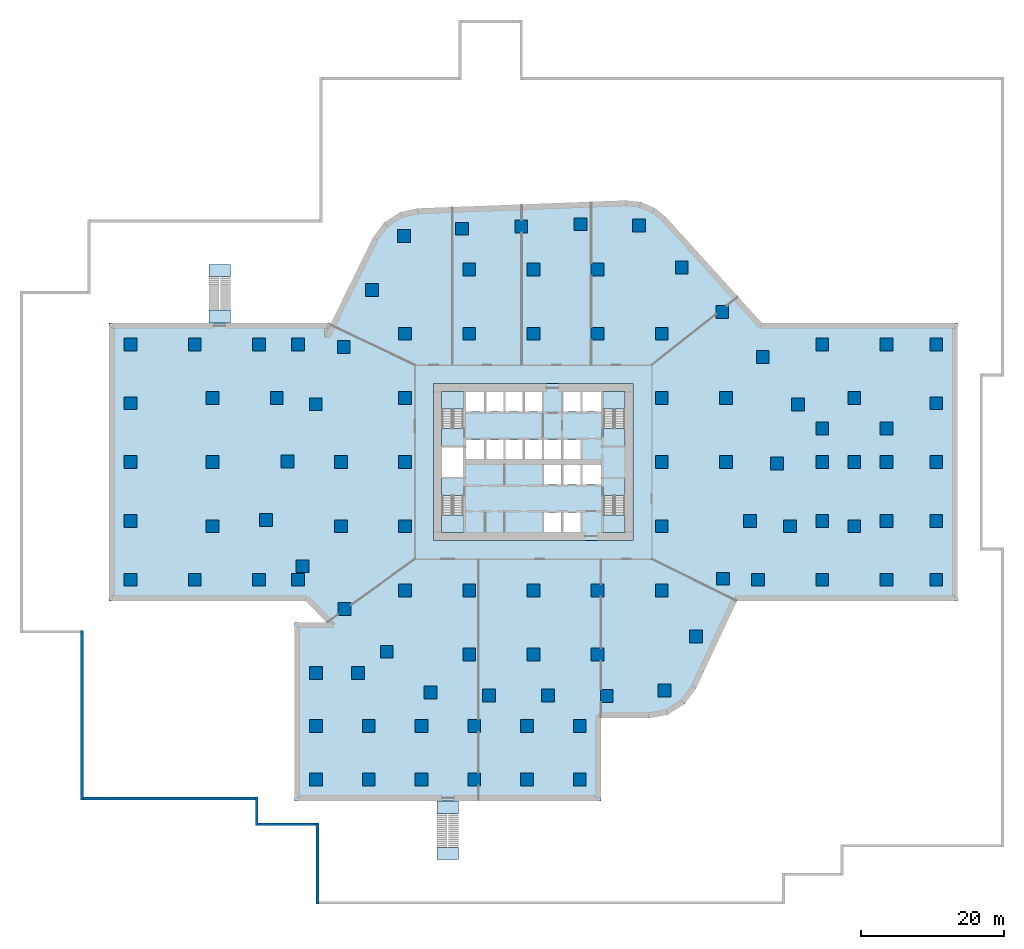
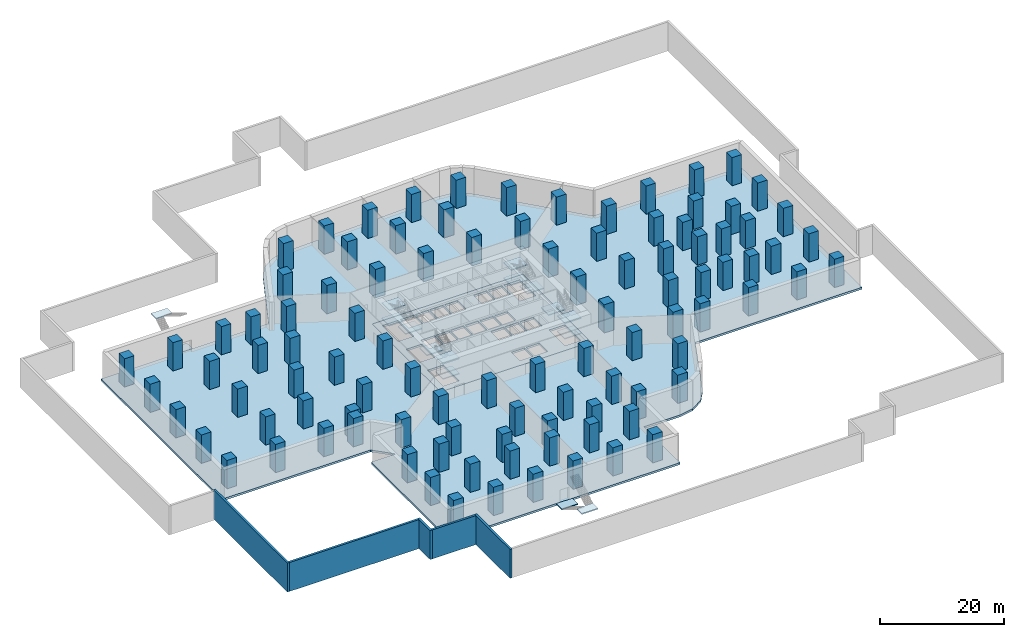
# One storey, part 1 of 11: 101 columns, 18 slabs, 5 walls, 4 elements without a shape of their own.
"""IFC4 building model written with IfcOpenShell, lengths in metres."""

from ifc_helpers import new_model, si_unit, direction, frame, frame_2d, origin, origin_2d, place, context, subcontext, project, spatial, polyline, rectangle, outline, extrude, material, layer, layer_set, material_profile, profile_set, type_object, element, aggregate, save


model = new_model("IFC4")

# Units and contexts
model_context = context("Model", 3, precision=1e-05, world=origin(), true_north=direction((0.0, 1.0)))
body_context = subcontext(model_context, "Body", "Model", "MODEL_VIEW")
ifc_project = project(units=[si_unit("LENGTHUNIT", "METRE"), si_unit("AREAUNIT", "SQUARE_METRE"), si_unit("VOLUMEUNIT", "CUBIC_METRE"), si_unit("PLANEANGLEUNIT", "RADIAN"), si_unit("MASSUNIT", "GRAM", prefix="KILO")], contexts=[model_context])

# Site, building, storey
site_placement = place(None, origin())
site = spatial("IfcSite", under=ifc_project, at=site_placement, CompositionType="ELEMENT")
building_placement = place(site_placement, origin())
building = spatial("IfcBuilding", under=site, at=building_placement, Name="Dongbaek Canopy Tower", CompositionType="ELEMENT")
storey_placement = place(building_placement, frame((0.0, 0.0, -6.0)))
storey = spatial("IfcBuildingStorey", under=building, at=storey_placement, Name="B1", CompositionType="ELEMENT", Elevation=-6.0)

# Columns
ifc_material_1 = material(Name="Concrete C80", Category="concrete")
ifc_material_profile = material_profile(ifc_material_1, rectangle(XDim=1.800048828125, YDim=1.800048828125, at=origin_2d()), Name="RC COLUMN 1800x1800 C80")
ifc_profile_set = profile_set([ifc_material_profile], Name="Concrete C80")
column_type = type_object("IfcColumnType", Name="RC COLUMN 1800x1800 C80", PredefinedType="COLUMN", material=ifc_profile_set)
for number, where, z_axis, x_axis, name in (
    (1, (18.367919921875, -32.04296875, 0.0), (0.0, 0.0, 1.0), (1.0, 0.0, 0.0), "COL:CB-01:B1"),
    (2, (10.277099609375, -32.7900390625, 0.0), (0.0, 0.0, 1.0), (1.0, 0.0, 0.0), "COL:CB-02:B1"),
    (3, (2.027099609375, -32.7529296875, 0.0), (0.0, 0.0, 1.0), (1.0, 0.0, 0.0), "COL:CB-03:B1"),
    (4, (-6.221923828125, -32.717041015625, 0.0), (0.0, 0.0, 1.0), (1.0, 0.0, 0.0), "COL:CB-04:B1"),
    (5, (-14.43408203125, -32.31298828125, 0.0), (0.0, 0.0, 1.0), (1.0, 0.0, 0.0), "COL:CB-05:B1"),
    (6, (-20.573974609375, -26.60205078125, 0.0), (0.0, 0.0, 1.0), (1.0, 0.0, 0.0), "COL:CB-06:B1"),
    (7, (-26.47802734375, -20.60791015625, 0.0), (0.0, 0.0, 1.0), (1.0, 0.0, 0.0), "COL:CB-07:B1"),
    (8, (-32.382080078125, -14.613037109375, 0.0), (0.0, 0.0, 1.0), (1.0, 0.0, 0.0), "COL:CB-08:B1"),
    (9, (-37.489013671875, -8.123046875, 0.0), (0.0, 0.0, 1.0), (1.0, 0.0, 0.0), "COL:CB-09:B1"),
    (10, (-34.462890625, 0.10302734375, 0.0), (0.0, 0.0, 1.0), (1.0, 0.0, 0.0), "COL:CB-10:B1"),
    (11, (-30.52490234375, 8.111083984375, 0.0), (0.0, 0.0, 1.0), (1.0, 0.0, 0.0), "COL:CB-11:B1"),
    (12, (-26.5859375, 16.117919921875, 0.0), (0.0, 0.0, 1.0), (1.0, 0.0, 0.0), "COL:CB-12:B1"),
    (13, (-22.64794921875, 24.125, 0.0), (0.0, 0.0, 1.0), (1.0, 0.0, 0.0), "COL:CB-13:B1"),
    (14, (-18.138916015625, 31.698974609375, 0.0), (0.0, 0.0, 1.0), (1.0, 0.0, 0.0), "COL:CB-14:B1"),
    (15, (-10.006103515625, 32.714111328125, 0.0), (0.0, 0.0, 1.0), (1.0, 0.0, 0.0), "COL:CB-15:B1"),
    (16, (-1.7080078125, 33.031982421875, 0.0), (0.0, 0.0, 1.0), (1.0, 0.0, 0.0), "COL:CB-16:B1"),
    (17, (6.589111328125, 33.34912109375, 0.0), (0.0, 0.0, 1.0), (1.0, 0.0, 0.0), "COL:CB-17:B1"),
    (18, (14.830078125, 33.194091796875, 0.0), (0.0, 0.0, 1.0), (1.0, 0.0, 0.0), "COL:CB-18:B1"),
    (19, (20.804931640625, 27.297119140625, 0.0), (0.0, 0.0, 1.0), (1.0, 0.0, 0.0), "COL:CB-19:B1"),
    (20, (26.48193359375, 21.029052734375, 0.0), (0.0, 0.0, 1.0), (1.0, 0.0, 0.0), "COL:CB-20:B1"),
    (21, (32.157958984375, 14.760986328125, 0.0), (0.0, 0.0, 1.0), (1.0, 0.0, 0.0), "COL:CB-21:B1"),
    (22, (37.097900390625, 8.06591796875, 0.0), (0.0, 0.0, 1.0), (1.0, 0.0, 0.0), "COL:CB-22:B1"),
    (23, (34.14306640625, -0.205078125, 0.0), (0.0, 0.0, 1.0), (1.0, 0.0, 0.0), "COL:CB-23:B1"),
    (24, (30.360107421875, -8.283935546875, 0.0), (0.0, 0.0, 1.0), (1.0, 0.0, 0.0), "COL:CB-24:B1"),
    (25, (26.575927734375, -16.364013671875, 0.0), (0.0, 0.0, 1.0), (1.0, 0.0, 0.0), "COL:CB-25:B1"),
    (26, (22.7919921875, -24.443115234375, 0.0), (0.0, 0.0, 1.0), (1.0, 0.0, 0.0), "COL:CB-26:B1"),
    (27, (-27.0, -9.0, 0.0), (0.0, 0.0, 1.0), (1.0, 0.0, 0.0), "COL:CIB-01:B1"),
    (28, (-27.0, 0.0, 0.0), (0.0, 0.0, 1.0), (1.0, 0.0, 0.0), "COL:CIB-02:B1"),
    (29, (-18.0, -18.0, 0.0), (0.0, 0.0, 1.0), (1.0, 0.0, 0.0), "COL:CIB-03:B1"),
    (30, (-18.0, -9.0, 0.0), (0.0, 0.0, 1.0), (1.0, 0.0, 0.0), "COL:CIB-04:B1"),
    (31, (-18.0, 0.0, 0.0), (0.0, 0.0, 1.0), (1.0, 0.0, 0.0), "COL:CIB-05:B1"),
    (32, (-18.0, 9.0, 0.0), (0.0, 0.0, 1.0), (1.0, 0.0, 0.0), "COL:CIB-06:B1"),
    (33, (-18.0, 18.0, 0.0), (0.0, 0.0, 1.0), (1.0, 0.0, 0.0), "COL:CIB-07:B1"),
    (34, (-9.0, -27.0, 0.0), (0.0, 0.0, 1.0), (1.0, 0.0, 0.0), "COL:CIB-08:B1"),
    (35, (-9.0, -18.0, 0.0), (0.0, 0.0, 1.0), (1.0, 0.0, 0.0), "COL:CIB-09:B1"),
    (36, (-9.0, 18.0, 0.0), (0.0, 0.0, 1.0), (1.0, 0.0, 0.0), "COL:CIB-10:B1"),
    (37, (-9.0, 27.0, 0.0), (0.0, 0.0, 1.0), (1.0, 0.0, 0.0), "COL:CIB-11:B1"),
    (38, (0.0, -27.0, 0.0), (0.0, 0.0, 1.0), (1.0, 0.0, 0.0), "COL:CIB-12:B1"),
    (39, (0.0, -18.0, 0.0), (0.0, 0.0, 1.0), (1.0, 0.0, 0.0), "COL:CIB-13:B1"),
    (40, (0.0, 18.0, 0.0), (0.0, 0.0, 1.0), (1.0, 0.0, 0.0), "COL:CIB-14:B1"),
    (41, (0.0, 27.0, 0.0), (0.0, 0.0, 1.0), (1.0, 0.0, 0.0), "COL:CIB-15:B1"),
    (42, (9.0, -27.0, 0.0), (0.0, 0.0, 1.0), (1.0, 0.0, 0.0), "COL:CIB-16:B1"),
    (43, (9.0, -18.0, 0.0), (0.0, 0.0, 1.0), (1.0, 0.0, 0.0), "COL:CIB-17:B1"),
    (44, (9.0, 18.0, 0.0), (0.0, 0.0, 1.0), (1.0, 0.0, 0.0), "COL:CIB-18:B1"),
    (45, (9.0, 27.0, 0.0), (0.0, 0.0, 1.0), (1.0, 0.0, 0.0), "COL:CIB-19:B1"),
    (46, (18.0, -18.0, 0.0), (0.0, 0.0, 1.0), (1.0, 0.0, 0.0), "COL:CIB-20:B1"),
    (47, (18.0, -9.0, 0.0), (0.0, 0.0, 1.0), (1.0, 0.0, 0.0), "COL:CIB-21:B1"),
    (48, (18.0, 0.0, 0.0), (0.0, 0.0, 1.0), (1.0, 0.0, 0.0), "COL:CIB-22:B1"),
    (49, (18.0, 9.0, 0.0), (0.0, 0.0, 1.0), (1.0, 0.0, 0.0), "COL:CIB-23:B1"),
    (50, (18.0, 18.0, 0.0), (0.0, 0.0, 1.0), (1.0, 0.0, 0.0), "COL:CIB-24:B1"),
    (51, (27.0, 0.0, 0.0), (0.0, 0.0, 1.0), (1.0, 0.0, 0.0), "COL:CIB-25:B1"),
    (52, (27.0, 9.0, 0.0), (0.0, 0.0, 1.0), (1.0, 0.0, 0.0), "COL:CIB-26:B1"),
    (53, (-56.5, -16.5, 0.0), (0.0, 0.0, 1.0), (1.0, 0.0, 0.0), "COL:CX-01:B1"),
    (54, (-56.5, -8.25, 0.0), (0.0, 0.0, 1.0), (1.0, 0.0, 0.0), "COL:CX-02:B1"),
    (55, (-56.5, 0.0, 0.0), (0.0, 0.0, 1.0), (1.0, 0.0, 0.0), "COL:CX-03:B1"),
    (56, (-56.5, 8.25, 0.0), (0.0, 0.0, 1.0), (1.0, 0.0, 0.0), "COL:CX-04:B1"),
    (57, (-56.5, 16.5, 0.0), (0.0, 0.0, 1.0), (1.0, 0.0, 0.0), "COL:CX-05:B1"),
    (58, (-47.5, -16.5, 0.0), (0.0, 0.0, 1.0), (1.0, 0.0, 0.0), "COL:CX-06:B1"),
    (59, (-47.5, 16.5, 0.0), (0.0, 0.0, 1.0), (1.0, 0.0, 0.0), "COL:CX-07:B1"),
    (60, (-45.0, -9.0, 0.0), (0.0, 0.0, 1.0), (1.0, 0.0, 0.0), "COL:CX-08:B1"),
    (61, (-45.0, 0.0, 0.0), (0.0, 0.0, 1.0), (1.0, 0.0, 0.0), "COL:CX-09:B1"),
    (62, (-45.0, 9.0, 0.0), (0.0, 0.0, 1.0), (1.0, 0.0, 0.0), "COL:CX-10:B1"),
    (63, (-38.5, -16.5, 0.0), (0.0, 0.0, 1.0), (1.0, 0.0, 0.0), "COL:CX-11:B1"),
    (64, (-38.5, 16.5, 0.0), (0.0, 0.0, 1.0), (1.0, 0.0, 0.0), "COL:CX-12:B1"),
    (65, (-36.0, 9.0, 0.0), (0.0, 0.0, 1.0), (1.0, 0.0, 0.0), "COL:CX-13:B1"),
    (66, (-33.0, -16.5, 0.0), (0.0, 0.0, 1.0), (1.0, 0.0, 0.0), "COL:CX-14:B1"),
    (67, (-33.0, 16.5, 0.0), (0.0, 0.0, 1.0), (1.0, 0.0, 0.0), "COL:CX-15:B1"),
    (68, (-30.5, -44.5, 0.0), (0.0, 0.0, 1.0), (1.0, 0.0, 0.0), "COL:CX-16:B1"),
    (69, (-30.5, -37.0, 0.0), (0.0, 0.0, 1.0), (1.0, 0.0, 0.0), "COL:CX-17:B1"),
    (70, (-30.5, -29.60009765625, 0.0), (0.0, 0.0, 1.0), (1.0, 0.0, 0.0), "COL:CX-18:B1"),
    (71, (-24.60009765625, -29.60009765625, 0.0), (0.0, 0.0, 1.0), (1.0, 0.0, 0.0), "COL:CX-19:B1"),
    (72, (-23.10009765625, -44.5, 0.0), (0.0, 0.0, 1.0), (1.0, 0.0, 0.0), "COL:CX-20:B1"),
    (73, (-23.10009765625, -37.0, 0.0), (0.0, 0.0, 1.0), (1.0, 0.0, 0.0), "COL:CX-21:B1"),
    (74, (-15.699951171875, -44.5, 0.0), (0.0, 0.0, 1.0), (1.0, 0.0, 0.0), "COL:CX-22:B1"),
    (75, (-15.699951171875, -37.0, 0.0), (0.0, 0.0, 1.0), (1.0, 0.0, 0.0), "COL:CX-23:B1"),
    (76, (-8.300048828125, -44.5, 0.0), (0.0, 0.0, 1.0), (1.0, 0.0, 0.0), "COL:CX-24:B1"),
    (77, (-8.300048828125, -37.0, 0.0), (0.0, 0.0, 1.0), (1.0, 0.0, 0.0), "COL:CX-25:B1"),
    (78, (-0.89990234375, -44.5, 0.0), (0.0, 0.0, 1.0), (1.0, 0.0, 0.0), "COL:CX-26:B1"),
    (79, (-0.89990234375, -37.0, 0.0), (0.0, 0.0, 1.0), (1.0, 0.0, 0.0), "COL:CX-27:B1"),
    (80, (6.5, -44.5, 0.0), (0.0, 0.0, 1.0), (1.0, 0.0, 0.0), "COL:CX-28:B1"),
    (81, (6.5, -37.0, 0.0), (0.0, 0.0, 1.0), (1.0, 0.0, 0.0), "COL:CX-29:B1"),
    (82, (31.5, -16.5, 0.0), (0.0, 0.0, 1.0), (1.0, 0.0, 0.0), "COL:CX-30:B1"),
    (83, (36.0, -9.0, 0.0), (0.0, 0.0, 1.0), (1.0, 0.0, 0.0), "COL:CX-31:B1"),
    (84, (40.5, -16.5, 0.0), (0.0, 0.0, 1.0), (1.0, 0.0, 0.0), "COL:CX-32:B1"),
    (85, (40.5, -8.25, 0.0), (0.0, 0.0, 1.0), (1.0, 0.0, 0.0), "COL:CX-33:B1"),
    (86, (40.5, 0.0, 0.0), (0.0, 0.0, 1.0), (1.0, 0.0, 0.0), "COL:CX-34:B1"),
    (87, (40.5, 4.699951171875, 0.0), (0.0, 0.0, 1.0), (1.0, 0.0, 0.0), "COL:CX-35:B1"),
    (88, (40.5, 16.5, 0.0), (0.0, 0.0, 1.0), (1.0, 0.0, 0.0), "COL:CX-36:B1"),
    (89, (45.0, -9.0, 0.0), (0.0, 0.0, 1.0), (1.0, 0.0, 0.0), "COL:CX-37:B1"),
    (90, (45.0, 0.0, 0.0), (0.0, 0.0, 1.0), (1.0, 0.0, 0.0), "COL:CX-38:B1"),
    (91, (45.0, 9.0, 0.0), (0.0, 0.0, 1.0), (1.0, 0.0, 0.0), "COL:CX-39:B1"),
    (92, (49.5, -16.5, 0.0), (0.0, 0.0, 1.0), (1.0, 0.0, 0.0), "COL:CX-40:B1"),
    (93, (49.5, -8.25, 0.0), (0.0, 0.0, 1.0), (1.0, 0.0, 0.0), "COL:CX-41:B1"),
    (94, (49.5, 0.0, 0.0), (0.0, 0.0, 1.0), (1.0, 0.0, 0.0), "COL:CX-42:B1"),
    (95, (49.5, 4.699951171875, 0.0), (0.0, 0.0, 1.0), (1.0, 0.0, 0.0), "COL:CX-43:B1"),
    (96, (49.5, 16.5, 0.0), (0.0, 0.0, 1.0), (1.0, 0.0, 0.0), "COL:CX-44:B1"),
    (97, (56.5, -16.5, 0.0), (0.0, 0.0, 1.0), (1.0, 0.0, 0.0), "COL:CX-45:B1"),
    (98, (56.5, -8.25, 0.0), (0.0, 0.0, 1.0), (1.0, 0.0, 0.0), "COL:CX-46:B1"),
    (99, (56.5, 0.0, 0.0), (0.0, 0.0, 1.0), (1.0, 0.0, 0.0), "COL:CX-47:B1"),
    (100, (56.5, 8.25, 0.0), (0.0, 0.0, 1.0), (1.0, 0.0, 0.0), "COL:CX-48:B1"),
    (101, (56.5, 16.5, 0.0), (0.0, 0.0, 1.0), (1.0, 0.0, 0.0), "COL:CX-49:B1"),
):
    element("IfcColumn", number, at=place(storey_placement, frame(where, z_axis=z_axis, x_axis=x_axis)), inside=storey, type_object=column_type, Name=name, PredefinedType="COLUMN", context=body_context, shape_type="SweptSolid", body=[
        extrude(rectangle(XDim=1.800048828125, YDim=1.800048828125, at=origin_2d()), origin(), (0.0, 0.0, 1.0), 5.550048828125),
    ])

# Slab
ifc_material_2 = material(Name="Concrete C40/50", Category="concrete")
ifc_layer_1 = layer(ifc_material_2, 0.39990234375)
ifc_layer_set_1 = layer_set([ifc_layer_1], Name="Core floor slab 400 Concrete C40/50")
slab_type_1 = type_object("IfcSlabType", Name="Core floor slab 400 Concrete C40/50", PredefinedType="FLOOR", material=ifc_layer_set_1)
slab_1_placement = place(storey_placement, frame((0.0, 0.0, -0.39990234375)))
element("IfcSlab", 102, at=slab_1_placement, inside=storey, type_object=slab_type_1, Name="Core floor slab B1", PredefinedType="FLOOR", context=body_context, shape_type="SweptSolid", body=[
    extrude(outline(polyline([(14.0, -11.0), (14.0, 11.0), (-14.0, 11.0), (-14.0, -11.0), (14.0, -11.0)]), holes=[polyline([(-12.800048828125, 2.10009765625), (-9.85009765625, 2.10009765625), (-9.85009765625, -2.10009765625), (-12.800048828125, -2.10009765625), (-12.800048828125, 2.10009765625)]), polyline([(-6.875, 9.800048828125), (-6.875, 7.074951171875), (-9.449951171875, 7.074951171875), (-9.449951171875, 9.800048828125), (-6.875, 9.800048828125)]), polyline([(-4.175048828125, 9.800048828125), (-4.175048828125, 7.074951171875), (-6.625, 7.074951171875), (-6.625, 9.800048828125), (-4.175048828125, 9.800048828125)]), polyline([(-1.47509765625, 9.800048828125), (-1.47509765625, 7.074951171875), (-3.925048828125, 7.074951171875), (-3.925048828125, 9.800048828125), (-1.47509765625, 9.800048828125)]), polyline([(1.22509765625, 9.800048828125), (1.22509765625, 7.074951171875), (-1.22509765625, 7.074951171875), (-1.22509765625, 9.800048828125), (1.22509765625, 9.800048828125)]), polyline([(6.625, 9.800048828125), (6.625, 7.074951171875), (4.175048828125, 7.074951171875), (4.175048828125, 9.800048828125), (6.625, 9.800048828125)]), polyline([(9.449951171875, 7.074951171875), (6.875, 7.074951171875), (6.875, 9.800048828125), (9.449951171875, 9.800048828125), (9.449951171875, 7.074951171875)]), polyline([(-9.449951171875, 3.125), (-6.875, 3.125), (-6.875, 0.39990234375), (-9.449951171875, 0.39990234375), (-9.449951171875, 3.125)]), polyline([(-6.625, 3.125), (-4.175048828125, 3.125), (-4.175048828125, 0.39990234375), (-6.625, 0.39990234375), (-6.625, 3.125)]), polyline([(-3.925048828125, 3.125), (-1.47509765625, 3.125), (-1.47509765625, 0.39990234375), (-3.925048828125, 0.39990234375), (-3.925048828125, 3.125)]), polyline([(-1.22509765625, 3.125), (1.22509765625, 3.125), (1.22509765625, 0.39990234375), (-1.22509765625, 0.39990234375), (-1.22509765625, 3.125)]), polyline([(1.47509765625, 0.39990234375), (1.47509765625, 3.125), (3.925048828125, 3.125), (3.925048828125, 0.39990234375), (1.47509765625, 0.39990234375)]), polyline([(4.175048828125, 0.39990234375), (4.175048828125, 3.125), (6.625, 3.125), (6.625, 0.39990234375), (4.175048828125, 0.39990234375)]), polyline([(3.925048828125, -0.39990234375), (3.925048828125, -3.125), (1.47509765625, -3.125), (1.47509765625, -0.39990234375), (3.925048828125, -0.39990234375)]), polyline([(6.625, -0.39990234375), (6.625, -3.125), (4.175048828125, -3.125), (4.175048828125, -0.39990234375), (6.625, -0.39990234375)]), polyline([(9.449951171875, -3.125), (6.875, -3.125), (6.875, -0.39990234375), (9.449951171875, -0.39990234375), (9.449951171875, -3.125)]), polyline([(1.47509765625, -9.800048828125), (1.47509765625, -7.074951171875), (3.925048828125, -7.074951171875), (3.925048828125, -9.800048828125), (1.47509765625, -9.800048828125)]), polyline([(4.175048828125, -9.800048828125), (4.175048828125, -7.074951171875), (6.625, -7.074951171875), (6.625, -9.800048828125), (4.175048828125, -9.800048828125)]), polyline([(12.800048828125, 4.70068359375), (12.800048828125, 9.800048828125), (9.85009765625, 9.800048828125), (9.85009765625, 4.70068359375), (12.800048828125, 4.70068359375)]), polyline([(-9.85009765625, 4.70068359375), (-9.85009765625, 9.800048828125), (-12.800048828125, 9.800048828125), (-12.800048828125, 4.70068359375), (-9.85009765625, 4.70068359375)]), polyline([(9.85009765625, -4.70068359375), (9.85009765625, -9.800048828125), (12.800048828125, -9.800048828125), (12.800048828125, -4.70068359375), (9.85009765625, -4.70068359375)]), polyline([(-12.800048828125, -4.70068359375), (-12.800048828125, -9.800048828125), (-9.85009765625, -9.800048828125), (-9.85009765625, -4.70068359375), (-12.800048828125, -4.70068359375)])]), origin(), (0.0, 0.0, 1.0), 0.39990234375),
])

# Stair, slabs
ifc_material_3 = material(Name="Concrete C40/50", Category="concrete")
stair_type = type_object("IfcStairType", Name="Core exit stair", PredefinedType="HALF_TURN_STAIR", material=ifc_material_3)
stair_1_placement = place(storey_placement, origin())
stair_1 = element("IfcStair", 103, at=stair_1_placement, inside=storey, type_object=stair_type, Name="B1 exit stair A", PredefinedType="HALF_TURN_STAIR")
ifc_material_4 = material(Name="Concrete C40/50", Category="concrete")
ifc_layer_2 = layer(ifc_material_4, 0.199951171875)
ifc_layer_set_2 = layer_set([ifc_layer_2], Name="Core stair landing 200")
slab_type_2 = type_object("IfcSlabType", Name="Core stair landing 200", PredefinedType="LANDING", material=ifc_layer_set_2)
slab_2_placement = place(storey_placement, frame((0.0, 0.0, 1.300048828125)))
slab_2 = element("IfcSlab", 104, at=slab_2_placement, type_object=slab_type_2, Name="ST-A landing 1", PredefinedType="LANDING", context=body_context, shape_type="SweptSolid", body=[
    extrude(outline(polyline([(12.875, 7.419921875), (12.875, 9.875), (9.77490234375, 9.875), (9.77490234375, 7.419921875), (12.875, 7.419921875)])), origin(), (0.0, 0.0, 1.0), 0.199951171875),
])
slab_3_placement = place(storey_placement, frame((0.0, 0.0, 2.800048828125)))
slab_3 = element("IfcSlab", 105, at=slab_3_placement, type_object=slab_type_2, Name="ST-A landing 2", PredefinedType="LANDING", context=body_context, shape_type="SweptSolid", body=[
    extrude(outline(polyline([(12.875, 2.22509765625), (12.875, 4.699951171875), (9.77490234375, 4.699951171875), (9.77490234375, 2.22509765625), (12.875, 2.22509765625)])), origin(), (0.0, 0.0, 1.0), 0.199951171875),
])
slab_4_placement = place(storey_placement, frame((0.0, 0.0, 4.300048828125)))
slab_4 = element("IfcSlab", 106, at=slab_4_placement, type_object=slab_type_2, Name="ST-A landing 3", PredefinedType="LANDING", context=body_context, shape_type="SweptSolid", body=[
    extrude(outline(polyline([(12.875, 7.419921875), (12.875, 9.875), (9.77490234375, 9.875), (9.77490234375, 7.419921875), (12.875, 7.419921875)])), origin(), (0.0, 0.0, 1.0), 0.199951171875),
])
aggregate(stair_1, [slab_2, slab_3, slab_4])

stair_2_placement = place(storey_placement, origin())
stair_2 = element("IfcStair", 107, at=stair_2_placement, inside=storey, type_object=stair_type, Name="B1 exit stair C", PredefinedType="HALF_TURN_STAIR")
slab_5_placement = place(storey_placement, frame((0.0, 0.0, 1.300048828125)))
slab_5 = element("IfcSlab", 108, at=slab_5_placement, type_object=slab_type_2, Name="ST-C landing 1", PredefinedType="LANDING", context=body_context, shape_type="SweptSolid", body=[
    extrude(outline(polyline([(-9.77490234375, 7.419921875), (-9.77490234375, 9.875), (-12.875, 9.875), (-12.875, 7.419921875), (-9.77490234375, 7.419921875)])), origin(), (0.0, 0.0, 1.0), 0.199951171875),
])
slab_6_placement = place(storey_placement, frame((0.0, 0.0, 2.800048828125)))
slab_6 = element("IfcSlab", 109, at=slab_6_placement, type_object=slab_type_2, Name="ST-C landing 2", PredefinedType="LANDING", context=body_context, shape_type="SweptSolid", body=[
    extrude(outline(polyline([(-9.77490234375, 2.22509765625), (-9.77490234375, 4.699951171875), (-12.875, 4.699951171875), (-12.875, 2.22509765625), (-9.77490234375, 2.22509765625)])), origin(), (0.0, 0.0, 1.0), 0.199951171875),
])
slab_7_placement = place(storey_placement, frame((0.0, 0.0, 4.300048828125)))
slab_7 = element("IfcSlab", 110, at=slab_7_placement, type_object=slab_type_2, Name="ST-C landing 3", PredefinedType="LANDING", context=body_context, shape_type="SweptSolid", body=[
    extrude(outline(polyline([(-9.77490234375, 7.419921875), (-9.77490234375, 9.875), (-12.875, 9.875), (-12.875, 7.419921875), (-9.77490234375, 7.419921875)])), origin(), (0.0, 0.0, 1.0), 0.199951171875),
])
aggregate(stair_2, [slab_5, slab_6, slab_7])

stair_3_placement = place(storey_placement, origin())
stair_3 = element("IfcStair", 111, at=stair_3_placement, inside=storey, type_object=stair_type, Name="B1 exit stair B", PredefinedType="HALF_TURN_STAIR")
slab_8_placement = place(storey_placement, frame((0.0, 0.0, 1.300048828125)))
slab_8 = element("IfcSlab", 112, at=slab_8_placement, type_object=slab_type_2, Name="ST-B landing 1", PredefinedType="LANDING", context=body_context, shape_type="SweptSolid", body=[
    extrude(outline(polyline([(9.77490234375, -7.419921875), (9.77490234375, -9.875), (12.875, -9.875), (12.875, -7.419921875), (9.77490234375, -7.419921875)])), origin(), (0.0, 0.0, 1.0), 0.199951171875),
])
slab_9_placement = place(storey_placement, frame((0.0, 0.0, 2.800048828125)))
slab_9 = element("IfcSlab", 113, at=slab_9_placement, type_object=slab_type_2, Name="ST-B landing 2", PredefinedType="LANDING", context=body_context, shape_type="SweptSolid", body=[
    extrude(outline(polyline([(9.77490234375, -2.22509765625), (9.77490234375, -4.699951171875), (12.875, -4.699951171875), (12.875, -2.22509765625), (9.77490234375, -2.22509765625)])), origin(), (0.0, 0.0, 1.0), 0.199951171875),
])
slab_10_placement = place(storey_placement, frame((0.0, 0.0, 4.300048828125)))
slab_10 = element("IfcSlab", 114, at=slab_10_placement, type_object=slab_type_2, Name="ST-B landing 3", PredefinedType="LANDING", context=body_context, shape_type="SweptSolid", body=[
    extrude(outline(polyline([(9.77490234375, -7.419921875), (9.77490234375, -9.875), (12.875, -9.875), (12.875, -7.419921875), (9.77490234375, -7.419921875)])), origin(), (0.0, 0.0, 1.0), 0.199951171875),
])
aggregate(stair_3, [slab_8, slab_9, slab_10])

stair_4_placement = place(storey_placement, origin())
stair_4 = element("IfcStair", 115, at=stair_4_placement, inside=storey, type_object=stair_type, Name="B1 exit stair D", PredefinedType="HALF_TURN_STAIR")
slab_11_placement = place(storey_placement, frame((0.0, 0.0, 1.300048828125)))
slab_11 = element("IfcSlab", 116, at=slab_11_placement, type_object=slab_type_2, Name="ST-D landing 1", PredefinedType="LANDING", context=body_context, shape_type="SweptSolid", body=[
    extrude(outline(polyline([(-12.875, -7.419921875), (-12.875, -9.875), (-9.77490234375, -9.875), (-9.77490234375, -7.419921875), (-12.875, -7.419921875)])), origin(), (0.0, 0.0, 1.0), 0.199951171875),
])
slab_12_placement = place(storey_placement, frame((0.0, 0.0, 2.800048828125)))
slab_12 = element("IfcSlab", 117, at=slab_12_placement, type_object=slab_type_2, Name="ST-D landing 2", PredefinedType="LANDING", context=body_context, shape_type="SweptSolid", body=[
    extrude(outline(polyline([(-12.875, -2.22509765625), (-12.875, -4.699951171875), (-9.77490234375, -4.699951171875), (-9.77490234375, -2.22509765625), (-12.875, -2.22509765625)])), origin(), (0.0, 0.0, 1.0), 0.199951171875),
])
slab_13_placement = place(storey_placement, frame((0.0, 0.0, 4.300048828125)))
slab_13 = element("IfcSlab", 118, at=slab_13_placement, type_object=slab_type_2, Name="ST-D landing 3", PredefinedType="LANDING", context=body_context, shape_type="SweptSolid", body=[
    extrude(outline(polyline([(-12.875, -7.419921875), (-12.875, -9.875), (-9.77490234375, -9.875), (-9.77490234375, -7.419921875), (-12.875, -7.419921875)])), origin(), (0.0, 0.0, 1.0), 0.199951171875),
])
aggregate(stair_4, [slab_11, slab_12, slab_13])

# Slabs
ifc_material_5 = material(Name="Concrete C40/50", Category="concrete")
ifc_layer_3 = layer(ifc_material_5, 0.199951171875)
ifc_layer_set_3 = layer_set([ifc_layer_3], Name="Entrance stair landing 200")
slab_type_3 = type_object("IfcSlabType", Name="Entrance stair landing 200", PredefinedType="LANDING", material=ifc_layer_set_3)
slab_14_placement = place(storey_placement, frame((0.0, 0.0, -0.199951171875)))
element("IfcSlab", 119, at=slab_14_placement, inside=storey, type_object=slab_type_3, Name="Metro entrance A low landing", PredefinedType="LANDING", context=body_context, shape_type="SweptSolid", body=[
    extrude(outline(polyline([(-13.5, -49.300048828125), (-10.5, -49.300048828125), (-10.5, -47.5), (-13.5, -47.5), (-13.5, -49.300048828125)])), origin(), (0.0, 0.0, 1.0), 0.199951171875),
])
slab_15_placement = place(storey_placement, frame((0.0, 0.0, 2.800048828125)))
element("IfcSlab", 120, at=slab_15_placement, inside=storey, type_object=slab_type_3, Name="Metro entrance A mid landing", PredefinedType="LANDING", context=body_context, shape_type="SweptSolid", body=[
    extrude(outline(polyline([(-13.5, -55.699951171875), (-10.5, -55.699951171875), (-10.5, -54.06005859375), (-13.5, -54.06005859375), (-13.5, -55.699951171875)])), origin(), (0.0, 0.0, 1.0), 0.199951171875),
])
slab_16_placement = place(storey_placement, frame((0.0, 0.0, -0.199951171875)))
element("IfcSlab", 121, at=slab_16_placement, inside=storey, type_object=slab_type_3, Name="Metro entrance B low landing", PredefinedType="LANDING", context=body_context, shape_type="SweptSolid", body=[
    extrude(outline(polyline([(-45.5, 19.5), (-42.5, 19.5), (-42.5, 21.300048828125), (-45.5, 21.300048828125), (-45.5, 19.5)])), origin(), (0.0, 0.0, 1.0), 0.199951171875),
])
slab_17_placement = place(storey_placement, frame((0.0, 0.0, 2.800048828125)))
element("IfcSlab", 122, at=slab_17_placement, inside=storey, type_object=slab_type_3, Name="Metro entrance B mid landing", PredefinedType="LANDING", context=body_context, shape_type="SweptSolid", body=[
    extrude(outline(polyline([(-45.5, 26.06005859375), (-42.5, 26.06005859375), (-42.5, 27.699951171875), (-45.5, 27.699951171875), (-45.5, 26.06005859375)])), origin(), (0.0, 0.0, 1.0), 0.199951171875),
])
ifc_material_6 = material(Name="Concrete C40", Category="concrete")
ifc_layer_4 = layer(ifc_material_6, 0.39990234375)
ifc_layer_set_4 = layer_set([ifc_layer_4], Name="RC FLAT PLATE 400 Concrete C40")
slab_type_4 = type_object("IfcSlabType", Name="RC FLAT PLATE 400 Concrete C40", PredefinedType="FLOOR", material=ifc_layer_set_4)
slab_18_placement = place(storey_placement, frame((0.0, 0.0, -0.39990234375)))
element("IfcSlab", 123, at=slab_18_placement, inside=storey, type_object=slab_type_4, Name="SLAB:B1", PredefinedType="FLOOR", context=body_context, shape_type="SweptSolid", body=[
    extrude(outline(polyline([(-33.5, -22.5), (-28.96484375, -22.5), (-31.919677734375, -19.5), (-59.5, -19.5), (-59.5, 19.5), (-28.5, 19.5), (-28.5, 19.25146484375), (-22.4658203125, 31.5205078125), (-20.95263671875, 33.568115234375), (-18.70263671875, 35.029296875), (-16.216552734375, 35.57861328125), (12.970703125, 36.6953125), (15.028076171875, 36.473876953125), (17.037109375, 35.62841796875), (18.634033203125, 34.312255859375), (32.048095703125, 19.5), (59.5, 19.5), (59.5, -19.5), (28.530029296875, -19.5), (22.80419921875, -31.726318359375), (21.223876953125, -33.90478515625), (18.826904296875, -35.42138671875), (16.181640625, -35.916748046875), (9.5, -35.88671875), (9.5, -47.5), (-33.5, -47.5), (-33.5, -22.5)]), holes=[polyline([(14.0, 11.0), (-14.0, 11.0), (-14.0, -11.0), (14.0, -11.0), (14.0, 11.0)])]), origin(), (0.0, 0.0, 1.0), 0.39990234375),
])

# Walls
ifc_material_7 = material(Name="Concrete C40/50", Category="concrete")
ifc_layer_5 = layer(ifc_material_7, 0.39990234375)
ifc_layer_set_5 = layer_set([ifc_layer_5], Name="Plaza plinth wall 400")
wall_type = type_object("IfcWallType", Name="Plaza plinth wall 400", PredefinedType="SOLIDWALL", material=ifc_layer_set_5)
wall_1_placement = place(storey_placement, frame((-30.300048828125, -62.0, 0.0), z_axis=(0.0, 0.0, 1.0), x_axis=(0.0, 1.0, 0.0)))
element("IfcWall", 124, at=wall_1_placement, inside=storey, type_object=wall_type, Name="Plaza plinth wall 3", PredefinedType="SOLIDWALL", context=body_context, shape_type="SweptSolid", body=[
    extrude(rectangle(XDim=11.39990234375, YDim=0.39990234375, at=frame_2d((5.699951171875, 0.0))), origin(), (0.0, 0.0, 1.0), 5.699951171875),
])
wall_2_placement = place(storey_placement, frame((-38.60009765625, -50.800048828125, 0.0), z_axis=(0.0, 0.0, 1.0), x_axis=(1.0, 0.0, 0.0)))
element("IfcWall", 125, at=wall_2_placement, inside=storey, type_object=wall_type, Name="Plaza plinth wall 8", PredefinedType="SOLIDWALL", context=body_context, shape_type="SweptSolid", body=[
    extrude(rectangle(XDim=8.10009765625, YDim=0.39990234375, at=frame_2d((4.050048828125, 0.0))), origin(), (0.0, 0.0, 1.0), 5.699951171875),
])
wall_3_placement = place(storey_placement, frame((-38.800048828125, -51.0, 0.0), z_axis=(0.0, 0.0, 1.0), x_axis=(0.0, 1.0, 0.0)))
element("IfcWall", 126, at=wall_3_placement, inside=storey, type_object=wall_type, Name="Plaza plinth wall 9", PredefinedType="SOLIDWALL", context=body_context, shape_type="SweptSolid", body=[
    extrude(rectangle(XDim=4.0, YDim=0.39990234375, at=frame_2d((2.0, 0.0))), origin(), (0.0, 0.0, 1.0), 5.699951171875),
])
wall_4_placement = place(storey_placement, frame((-63.10009765625, -47.199951171875, 0.0), z_axis=(0.0, 0.0, 1.0), x_axis=(1.0, 0.0, 0.0)))
element("IfcWall", 127, at=wall_4_placement, inside=storey, type_object=wall_type, Name="Plaza plinth wall 10", PredefinedType="SOLIDWALL", context=body_context, shape_type="SweptSolid", body=[
    extrude(rectangle(XDim=24.10009765625, YDim=0.39990234375, at=frame_2d((12.050048828125, 0.0))), origin(), (0.0, 0.0, 1.0), 5.699951171875),
])
wall_5_placement = place(storey_placement, frame((-63.300048828125, -47.39990234375, 0.0), z_axis=(0.0, 0.0, 1.0), x_axis=(0.0, 1.0, 0.0)))
element("IfcWall", 128, at=wall_5_placement, inside=storey, type_object=wall_type, Name="Plaza plinth wall 11", PredefinedType="SOLIDWALL", context=body_context, shape_type="SweptSolid", body=[
    extrude(rectangle(XDim=23.7998046875, YDim=0.39990234375, at=frame_2d((11.89990234375, 0.0))), origin(), (0.0, 0.0, 1.0), 5.699951171875),
])

save(model, "model.ifc")
